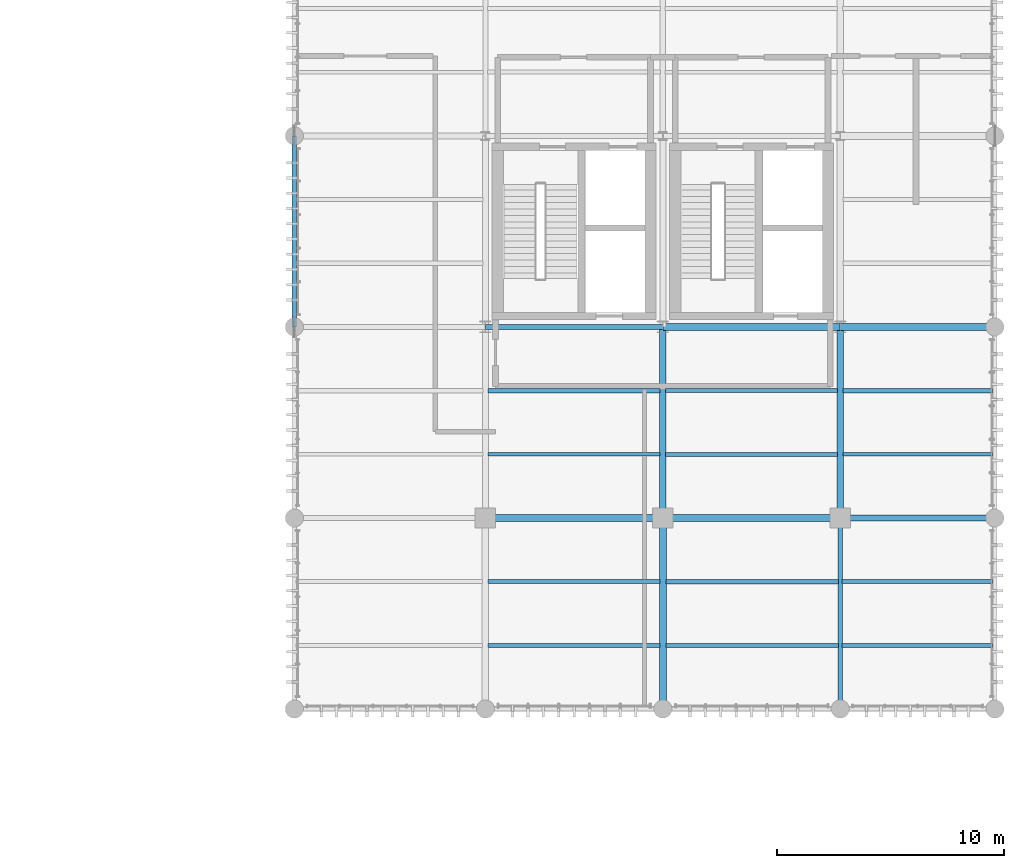
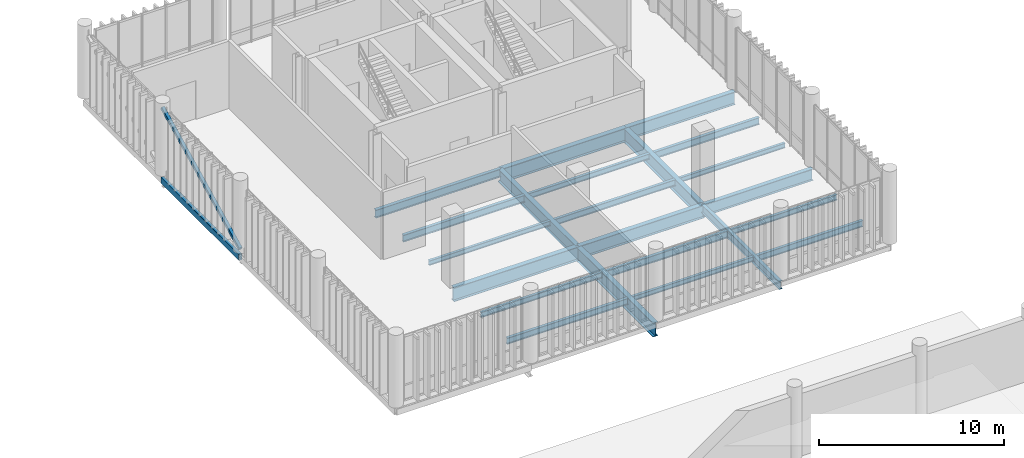
# One storey, part 71 of 109: 23 beams, 1 member.
"""IFC4 building model written with IfcOpenShell, lengths in metres."""

from ifc_helpers import new_model, si_unit, direction, frame, origin_with_axes, origin_2d_with_axis, place, context, subcontext, project, spatial, hollow_rectangle, i_section, extrude, material, material_profile, profile_set, type_object, element, save


model = new_model("IFC4")

# Units and contexts
model_context = context("Model", 3, precision=1e-05, world=origin_with_axes(), true_north=direction((0.0, 1.0)))
body_context = subcontext(model_context, "Body", "Model", "MODEL_VIEW")
ifc_project = project(units=[si_unit("LENGTHUNIT", "METRE"), si_unit("AREAUNIT", "SQUARE_METRE"), si_unit("VOLUMEUNIT", "CUBIC_METRE"), si_unit("PLANEANGLEUNIT", "RADIAN"), si_unit("MASSUNIT", "GRAM", prefix="KILO"), si_unit("THERMODYNAMICTEMPERATUREUNIT", "KELVIN")], contexts=[model_context])

# Site, building, storey
site_placement = place(None, origin_with_axes())
site = spatial("IfcSite", under=ifc_project, at=site_placement, CompositionType="ELEMENT")
building_placement = place(site_placement, origin_with_axes())
building = spatial("IfcBuilding", under=site, at=building_placement, Name="Montbau Bow Law Courts", CompositionType="ELEMENT")
storey_placement = place(building_placement, frame((0.0, 0.0, 10.8), z_axis=(0.0, 0.0, 1.0), x_axis=(1.0, 0.0, 0.0)))
storey = spatial("IfcBuildingStorey", under=building, at=storey_placement, Name="L02", CompositionType="ELEMENT", Elevation=10.8)

# Beams
ifc_material_1 = material(Name="Steel CSA G40.21 Grade 350W (350 MPa)", Category="steel")
ifc_material_profile_1 = material_profile(ifc_material_1, i_section(OverallWidth=0.306, OverallDepth=0.919, WebThickness=0.0173, FlangeThickness=0.0279, at=origin_2d_with_axis()), Name="W920X253", Category="Main", Priority=0)
ifc_profile_set_1 = profile_set([ifc_material_profile_1], Name="Steel CSA G40.21 Grade 350W (350 MPa)")
beam_type_1 = type_object("IfcBeamType", Name="B-FLR-01", PredefinedType="BEAM", material=ifc_profile_set_1)
for number, where, z_axis, x_axis, name in (
    (1, (147.0, 78.0, 10.04), (1.0, 0.0, 0.0), (0.0, 1.0, 0.0), "BM-L02-S1170:bm2_1173"),
    (2, (154.8, 86.4, 10.04), (1.0, 0.0, 0.0), (0.0, 1.0, 0.0), "BM-L02-S1175:bm2_1178"),
):
    element("IfcBeam", number, at=place(None, frame(where, z_axis=z_axis, x_axis=x_axis)), inside=storey, type_object=beam_type_1, Name=name, PredefinedType="BEAM", context=body_context, shape_type="SweptSolid", body=[
        extrude(i_section(OverallWidth=0.306, OverallDepth=0.919, WebThickness=0.0173, FlangeThickness=0.0279, at=origin_2d_with_axis()), origin_with_axes(), (0.0, 0.0, 1.0), 7.8),
    ])
for number, where, z_axis, x_axis, name in (
    (3, (154.8, 69.6, 10.04), (0.0, 1.0, 0.0), (-1.0, 0.0, 0.0), "BM-L02-S1193:bm2_1196"),
    (4, (162.6, 78.0, 10.04), (0.0, 1.0, 0.0), (-1.0, 0.0, 0.0), "BM-L02-S1198:bm2_1201"),
):
    element("IfcBeam", number, at=place(None, frame(where, z_axis=z_axis, x_axis=x_axis)), inside=storey, type_object=beam_type_1, Name=name, PredefinedType="BEAM", context=body_context, shape_type="SweptSolid", body=[
        extrude(i_section(OverallWidth=0.306, OverallDepth=0.919, WebThickness=0.0173, FlangeThickness=0.0279, at=origin_2d_with_axis()), origin_with_axes(), (0.0, 0.0, 1.0), 8.4),
    ])
ifc_material_profile_2 = material_profile(ifc_material_1, i_section(OverallWidth=0.293, OverallDepth=0.846, WebThickness=0.0154, FlangeThickness=0.0244, at=origin_2d_with_axis()), Name="W840X210", Category="Main", Priority=0)
ifc_profile_set_2 = profile_set([ifc_material_profile_2], Name="Steel CSA G40.21 Grade 350W (350 MPa)")
beam_type_2 = type_object("IfcBeamType", Name="B-FLR-02", PredefinedType="BEAM", material=ifc_profile_set_2)
beam_1_placement = place(None, frame((154.8, 78.0, 10.077), z_axis=(1.0, 0.0, 0.0), x_axis=(0.0, 1.0, 0.0)))
element("IfcBeam", 5, at=beam_1_placement, inside=storey, type_object=beam_type_2, Name="BM-L02-S1171:bm2_1174", PredefinedType="BEAM", context=body_context, shape_type="SweptSolid", body=[
    extrude(i_section(OverallWidth=0.293, OverallDepth=0.846, WebThickness=0.0154, FlangeThickness=0.0244, at=origin_2d_with_axis()), origin_with_axes(), (0.0, 0.0, 1.0), 7.8),
])
beam_2_placement = place(None, frame((162.6, 86.4, 10.077), z_axis=(1.0, 0.0, 0.0), x_axis=(0.0, 1.0, 0.0)))
element("IfcBeam", 6, at=beam_2_placement, inside=storey, type_object=beam_type_2, Name="BM-L02-S1176:bm2_1179", PredefinedType="BEAM", context=body_context, shape_type="SweptSolid", body=[
    extrude(i_section(OverallWidth=0.293, OverallDepth=0.846, WebThickness=0.0154, FlangeThickness=0.0244, at=origin_2d_with_axis()), origin_with_axes(), (0.0, 0.0, 1.0), 6.8),
])
beam_3_placement = place(None, frame((154.8, 78.0, 10.077), z_axis=(0.0, 1.0, 0.0), x_axis=(-1.0, 0.0, 0.0)))
element("IfcBeam", 7, at=beam_3_placement, inside=storey, type_object=beam_type_2, Name="BM-L02-S1194:bm2_1197", PredefinedType="BEAM", context=body_context, shape_type="SweptSolid", body=[
    extrude(i_section(OverallWidth=0.293, OverallDepth=0.846, WebThickness=0.0154, FlangeThickness=0.0244, at=origin_2d_with_axis()), origin_with_axes(), (0.0, 0.0, 1.0), 8.4),
])
ifc_material_profile_3 = material_profile(ifc_material_1, i_section(OverallWidth=0.267, OverallDepth=0.766, WebThickness=0.0149, FlangeThickness=0.0236, at=origin_2d_with_axis()), Name="W760X185", Category="Main", Priority=0)
ifc_profile_set_3 = profile_set([ifc_material_profile_3], Name="Steel CSA G40.21 Grade 350W (350 MPa)")
beam_type_3 = type_object("IfcBeamType", Name="B-FLR-03", PredefinedType="BEAM", material=ifc_profile_set_3)
beam_4_placement = place(None, frame((162.6, 78.0, 10.117), z_axis=(1.0, 0.0, 0.0), x_axis=(0.0, 1.0, 0.0)))
element("IfcBeam", 8, at=beam_4_placement, inside=storey, type_object=beam_type_3, Name="BM-L02-S1172:bm2_1175", PredefinedType="BEAM", context=body_context, shape_type="SweptSolid", body=[
    extrude(i_section(OverallWidth=0.267, OverallDepth=0.766, WebThickness=0.0149, FlangeThickness=0.0236, at=origin_2d_with_axis()), origin_with_axes(), (0.0, 0.0, 1.0), 6.8),
])
ifc_material_profile_4 = material_profile(ifc_material_1, i_section(OverallWidth=0.21, OverallDepth=0.537, WebThickness=0.0109, FlangeThickness=0.0174, at=origin_2d_with_axis()), Name="W530X101", Category="Main", Priority=0)
ifc_profile_set_4 = profile_set([ifc_material_profile_4], Name="Steel CSA G40.21 Grade 350W (350 MPa)")
beam_type_4 = type_object("IfcBeamType", Name="B-FLR-06", PredefinedType="BEAM", material=ifc_profile_set_4)
beam_5_placement = place(None, frame((147.0, 86.4, 10.232), z_axis=(1.0, 0.0, 0.0), x_axis=(0.0, 1.0, 0.0)))
element("IfcBeam", 9, at=beam_5_placement, inside=storey, type_object=beam_type_4, Name="BM-L02-S1174:bm2_1177", PredefinedType="BEAM", context=body_context, shape_type="SweptSolid", body=[
    extrude(i_section(OverallWidth=0.21, OverallDepth=0.537, WebThickness=0.0109, FlangeThickness=0.0174, at=origin_2d_with_axis()), origin_with_axes(), (0.0, 0.0, 1.0), 7.8),
])
beam_6_placement = place(None, frame((162.6, 69.6, 10.232), z_axis=(0.0, 1.0, 0.0), x_axis=(-1.0, 0.0, 0.0)))
element("IfcBeam", 10, at=beam_6_placement, inside=storey, type_object=beam_type_4, Name="BM-L02-S1197:bm2_1200", PredefinedType="BEAM", context=body_context, shape_type="SweptSolid", body=[
    extrude(i_section(OverallWidth=0.21, OverallDepth=0.537, WebThickness=0.0109, FlangeThickness=0.0174, at=origin_2d_with_axis()), origin_with_axes(), (0.0, 0.0, 1.0), 8.4),
])
ifc_material_profile_5 = material_profile(ifc_material_1, i_section(OverallWidth=0.191, OverallDepth=0.46, WebThickness=0.0099, FlangeThickness=0.016, at=origin_2d_with_axis()), Name="W460X82", Category="Main", Priority=0)
ifc_profile_set_5 = profile_set([ifc_material_profile_5], Name="Steel CSA G40.21 Grade 350W (350 MPa)")
beam_type_5 = type_object("IfcBeamType", Name="B-JST-01", PredefinedType="JOIST", material=ifc_profile_set_5)
beam_7_placement = place(None, frame((147.109, 83.6, 10.27), z_axis=(1.0, 0.0, 0.0), x_axis=(0.0, 1.0, 0.0)))
element("IfcBeam", 11, at=beam_7_placement, inside=storey, type_object=beam_type_5, Name="JST-L02-S0620:jst2_0620", PredefinedType="JOIST", context=body_context, shape_type="SweptSolid", body=[
    extrude(i_section(OverallWidth=0.191, OverallDepth=0.46, WebThickness=0.0099, FlangeThickness=0.016, at=origin_2d_with_axis()), origin_with_axes(), (0.0, 0.0, 1.0), 7.569),
])
beam_8_placement = place(None, frame((154.929, 75.2, 10.27), z_axis=(1.0, 0.0, 0.0), x_axis=(0.0, 1.0, 0.0)))
element("IfcBeam", 12, at=beam_8_placement, inside=storey, type_object=beam_type_5, Name="JST-L02-S0624:jst2_0624", PredefinedType="JOIST", context=body_context, shape_type="SweptSolid", body=[
    extrude(i_section(OverallWidth=0.191, OverallDepth=0.46, WebThickness=0.0099, FlangeThickness=0.016, at=origin_2d_with_axis()), origin_with_axes(), (0.0, 0.0, 1.0), 7.59),
])
beam_9_placement = place(None, frame((162.729, 83.6, 10.27), z_axis=(1.0, 0.0, 0.0), x_axis=(0.0, 1.0, 0.0)))
element("IfcBeam", 13, at=beam_9_placement, inside=storey, type_object=beam_type_5, Name="JST-L02-S0632:jst2_0632", PredefinedType="JOIST", context=body_context, shape_type="SweptSolid", body=[
    extrude(i_section(OverallWidth=0.191, OverallDepth=0.46, WebThickness=0.0099, FlangeThickness=0.016, at=origin_2d_with_axis()), origin_with_axes(), (0.0, 0.0, 1.0), 6.591),
])
ifc_material_profile_6 = material_profile(ifc_material_1, i_section(OverallWidth=0.179, OverallDepth=0.41, WebThickness=0.0088, FlangeThickness=0.0144, at=origin_2d_with_axis()), Name="W410X67", Category="Main", Priority=0)
ifc_profile_set_6 = profile_set([ifc_material_profile_6], Name="Steel CSA G40.21 Grade 350W (350 MPa)")
beam_type_6 = type_object("IfcBeamType", Name="B-JST-02", PredefinedType="JOIST", material=ifc_profile_set_6)
for number, where, z_axis, x_axis, name in (
    (14, (147.123, 72.4, 10.295), (1.0, 0.0, 0.0), (0.0, 1.0, 0.0), "JST-L02-S0617:jst2_0617"),
    (15, (154.923, 80.8, 10.295), (1.0, 0.0, 0.0), (0.0, 1.0, 0.0), "JST-L02-S0625:jst2_0625"),
):
    element("IfcBeam", number, at=place(None, frame(where, z_axis=z_axis, x_axis=x_axis)), inside=storey, type_object=beam_type_6, Name=name, PredefinedType="JOIST", context=body_context, shape_type="SweptSolid", body=[
        extrude(i_section(OverallWidth=0.179, OverallDepth=0.41, WebThickness=0.0088, FlangeThickness=0.0144, at=origin_2d_with_axis()), origin_with_axes(), (0.0, 0.0, 1.0), 7.548),
    ])
beam_10_placement = place(None, frame((162.681, 72.4, 10.295), z_axis=(1.0, 0.0, 0.0), x_axis=(0.0, 1.0, 0.0)))
element("IfcBeam", 16, at=beam_10_placement, inside=storey, type_object=beam_type_6, Name="JST-L02-S0629:jst2_0629", PredefinedType="JOIST", context=body_context, shape_type="SweptSolid", body=[
    extrude(i_section(OverallWidth=0.179, OverallDepth=0.41, WebThickness=0.0088, FlangeThickness=0.0144, at=origin_2d_with_axis()), origin_with_axes(), (0.0, 0.0, 1.0), 6.639),
])
ifc_material_profile_7 = material_profile(ifc_material_1, i_section(OverallWidth=0.172, OverallDepth=0.358, WebThickness=0.0079, FlangeThickness=0.0131, at=origin_2d_with_axis()), Name="W360X57", Category="Main", Priority=0)
ifc_profile_set_7 = profile_set([ifc_material_profile_7], Name="Steel CSA G40.21 Grade 350W (350 MPa)")
beam_type_7 = type_object("IfcBeamType", Name="B-JST-03", PredefinedType="JOIST", material=ifc_profile_set_7)
for number, where, z_axis, x_axis, name in (
    (17, (147.123, 75.2, 10.321), (1.0, 0.0, 0.0), (0.0, 1.0, 0.0), "JST-L02-S0618:jst2_0618"),
    (18, (154.923, 83.6, 10.321), (1.0, 0.0, 0.0), (0.0, 1.0, 0.0), "JST-L02-S0626:jst2_0626"),
):
    element("IfcBeam", number, at=place(None, frame(where, z_axis=z_axis, x_axis=x_axis)), inside=storey, type_object=beam_type_7, Name=name, PredefinedType="JOIST", context=body_context, shape_type="SweptSolid", body=[
        extrude(i_section(OverallWidth=0.172, OverallDepth=0.358, WebThickness=0.0079, FlangeThickness=0.0131, at=origin_2d_with_axis()), origin_with_axes(), (0.0, 0.0, 1.0), 7.548),
    ])
beam_11_placement = place(None, frame((162.681, 75.2, 10.321), z_axis=(1.0, 0.0, 0.0), x_axis=(0.0, 1.0, 0.0)))
element("IfcBeam", 19, at=beam_11_placement, inside=storey, type_object=beam_type_7, Name="JST-L02-S0630:jst2_0630", PredefinedType="JOIST", context=body_context, shape_type="SweptSolid", body=[
    extrude(i_section(OverallWidth=0.172, OverallDepth=0.358, WebThickness=0.0079, FlangeThickness=0.0131, at=origin_2d_with_axis()), origin_with_axes(), (0.0, 0.0, 1.0), 6.639),
])
ifc_material_profile_8 = material_profile(ifc_material_1, i_section(OverallWidth=0.166, OverallDepth=0.313, WebThickness=0.0066, FlangeThickness=0.0112, at=origin_2d_with_axis()), Name="W310X45", Category="Main", Priority=0)
ifc_profile_set_8 = profile_set([ifc_material_profile_8], Name="Steel CSA G40.21 Grade 350W (350 MPa)")
beam_type_8 = type_object("IfcBeamType", Name="B-JST-04", PredefinedType="JOIST", material=ifc_profile_set_8)
beam_12_placement = place(None, frame((147.109, 80.8, 10.344), z_axis=(1.0, 0.0, 0.0), x_axis=(0.0, 1.0, 0.0)))
element("IfcBeam", 20, at=beam_12_placement, inside=storey, type_object=beam_type_8, Name="JST-L02-S0619:jst2_0619", PredefinedType="JOIST", context=body_context, shape_type="SweptSolid", body=[
    extrude(i_section(OverallWidth=0.166, OverallDepth=0.313, WebThickness=0.0066, FlangeThickness=0.0112, at=origin_2d_with_axis()), origin_with_axes(), (0.0, 0.0, 1.0), 7.569),
])
beam_13_placement = place(None, frame((154.929, 72.4, 10.344), z_axis=(1.0, 0.0, 0.0), x_axis=(0.0, 1.0, 0.0)))
element("IfcBeam", 21, at=beam_13_placement, inside=storey, type_object=beam_type_8, Name="JST-L02-S0623:jst2_0623", PredefinedType="JOIST", context=body_context, shape_type="SweptSolid", body=[
    extrude(i_section(OverallWidth=0.166, OverallDepth=0.313, WebThickness=0.0066, FlangeThickness=0.0112, at=origin_2d_with_axis()), origin_with_axes(), (0.0, 0.0, 1.0), 7.59),
])
beam_14_placement = place(None, frame((162.729, 80.8, 10.344), z_axis=(1.0, 0.0, 0.0), x_axis=(0.0, 1.0, 0.0)))
element("IfcBeam", 22, at=beam_14_placement, inside=storey, type_object=beam_type_8, Name="JST-L02-S0631:jst2_0631", PredefinedType="JOIST", context=body_context, shape_type="SweptSolid", body=[
    extrude(i_section(OverallWidth=0.166, OverallDepth=0.313, WebThickness=0.0066, FlangeThickness=0.0112, at=origin_2d_with_axis()), origin_with_axes(), (0.0, 0.0, 1.0), 6.591),
])
ifc_material_2 = material(Name="Steel CSA G40.21 Grade 350WT (350 MPa)", Category="steel")
ifc_material_profile_9 = material_profile(ifc_material_2, hollow_rectangle(XDim=0.203, YDim=0.406, WallThickness=0.0127, InnerFilletRadius=0.0254, OuterFilletRadius=0.0127, at=origin_2d_with_axis()), Name="HSS406X203X13", Category="Main", Priority=0)
ifc_profile_set_9 = profile_set([ifc_material_profile_9], Name="Steel CSA G40.21 Grade 350WT (350 MPa)")
beam_type_9 = type_object("IfcBeamType", Name="B-SPN-01", PredefinedType="SPANDREL", material=ifc_profile_set_9)
beam_15_placement = place(None, frame((138.6, 86.4, 10.297), z_axis=(0.0, 1.0, 0.0), x_axis=(-1.0, 0.0, 0.0)))
element("IfcBeam", 23, at=beam_15_placement, inside=storey, type_object=beam_type_9, Name="SPN-L02-S1187:bm2_1190", PredefinedType="SPANDREL", context=body_context, shape_type="SweptSolid", body=[
    extrude(hollow_rectangle(XDim=0.203, YDim=0.406, WallThickness=0.0127, InnerFilletRadius=0.0254, OuterFilletRadius=0.0127, at=origin_2d_with_axis()), origin_with_axes(), (0.0, 0.0, 1.0), 8.4),
])

# Member
ifc_material_profile_10 = material_profile(ifc_material_1, hollow_rectangle(XDim=0.203, YDim=0.203, WallThickness=0.0111, InnerFilletRadius=0.0222, OuterFilletRadius=0.0111, at=origin_2d_with_axis()), Name="HSS203X203X11", Category="Main", Priority=0)
ifc_profile_set_10 = profile_set([ifc_material_profile_10], Name="Steel CSA G40.21 Grade 350W (350 MPa)")
member_type = type_object("IfcMemberType", Name="M-BRC-02", PredefinedType="BRACE", material=ifc_profile_set_10)
member_placement = place(None, frame((138.6, 86.4, 10.85), z_axis=(0.0, 0.894128949, 0.447809582), x_axis=(-1.0, 0.0, 0.0)))
element("IfcMember", 24, at=member_placement, inside=storey, type_object=member_type, Name="Diagonal brace CBF-L02-061A", PredefinedType="BRACE", context=body_context, shape_type="SweptSolid", body=[
    extrude(hollow_rectangle(XDim=0.203, YDim=0.203, WallThickness=0.0111, InnerFilletRadius=0.0222, OuterFilletRadius=0.0111, at=origin_2d_with_axis()), origin_with_axes(), (0.0, 0.0, 1.0), 9.394618),
])

save(model, "model.ifc")
